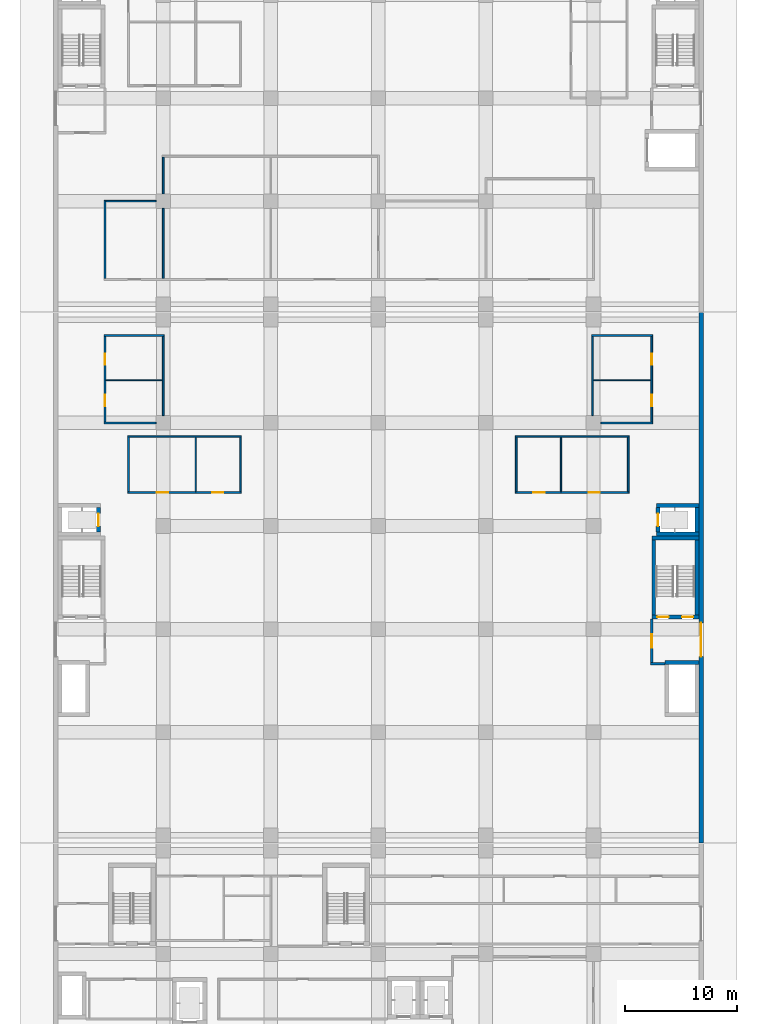
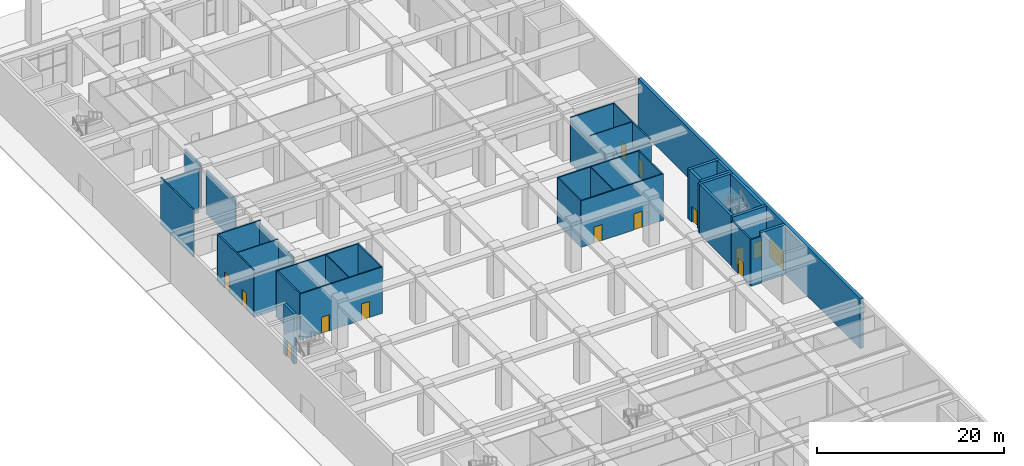
# One storey, part 20 of 45: 37 walls, 14 doors, 14 openings.
"""IFC4 building model written with IfcOpenShell, lengths in metres."""

from ifc_helpers import new_model, si_unit, direction, frame, frame_2d, origin, place, context, subcontext, project, spatial, rectangle, extrude, material, layer, layer_set, type_object, element, fill, save


model = new_model("IFC4")

# Units and contexts
model_context = context("Model", 3, precision=1e-05, world=origin(), true_north=direction((0.0, 1.0)))
body_context = subcontext(model_context, "Body", "Model", "MODEL_VIEW")
ifc_project = project(units=[si_unit("LENGTHUNIT", "METRE"), si_unit("AREAUNIT", "SQUARE_METRE"), si_unit("VOLUMEUNIT", "CUBIC_METRE"), si_unit("PLANEANGLEUNIT", "RADIAN"), si_unit("MASSUNIT", "GRAM", prefix="KILO")], contexts=[model_context])

# Site, building, storey
site_placement = place(None, origin())
site = spatial("IfcSite", under=ifc_project, at=site_placement, CompositionType="ELEMENT")
building_placement = place(site_placement, origin())
building = spatial("IfcBuilding", under=site, at=building_placement, Name="Nzadi Deep Aquarium and Research Tower", CompositionType="ELEMENT")
storey_placement = place(building_placement, origin())
storey = spatial("IfcBuildingStorey", under=building, at=storey_placement, Name="G", CompositionType="ELEMENT", Elevation=0.0)

# Walls
ifc_material_1 = material(Name="Blockwork masonry", Category="masonry")
ifc_layer_1 = layer(ifc_material_1, 0.10009765625)
ifc_layer_set_1 = layer_set([ifc_layer_1], Name="Blockwork masonry")
wall_type_1 = type_object("IfcWallType", Name="Partition 100 EI 30, 6.05 m high", PredefinedType="PARTITIONING", material=ifc_layer_set_1)
wall_1_placement = place(storey_placement, frame((4.47509765625, 88.0, 0.0), z_axis=(0.0, 0.0, 1.0), x_axis=(1.0, 0.0, 0.0)))
element("IfcWall", 1, at=wall_1_placement, inside=storey, type_object=wall_type_1, Name="W-Z2-G-P006", PredefinedType="PARTITIONING", context=body_context, shape_type="SweptSolid", body=[
    extrude(rectangle(XDim=5.0498046875, YDim=0.10009765625, at=frame_2d((2.52490234375, 0.0))), origin(), (0.0, 0.0, 1.0), 6.050048828125),
])
for number, where, z_axis, x_axis, name in (
    (2, (12.5, 78.074951171875, 0.0), (0.0, 0.0, 1.0), (0.0, 1.0, 0.0), "W-Z2-G-P011"),
    (3, (45.10009765625, 78.074951171875, 0.0), (0.0, 0.0, 1.0), (0.0, 1.0, 0.0), "W-Z2-G-P016"),
):
    element("IfcWall", number, at=place(storey_placement, frame(where, z_axis=z_axis, x_axis=x_axis)), inside=storey, type_object=wall_type_1, Name=name, PredefinedType="PARTITIONING", context=body_context, shape_type="SweptSolid", body=[
        extrude(rectangle(XDim=4.85009765625, YDim=0.10009765625, at=frame_2d((2.425048828125, 0.0))), origin(), (0.0, 0.0, 1.0), 6.050048828125),
    ])
wall_2_placement = place(storey_placement, frame((47.97509765625, 88.0, 0.0), z_axis=(0.0, 0.0, 1.0), x_axis=(1.0, 0.0, 0.0)))
element("IfcWall", 4, at=wall_2_placement, inside=storey, type_object=wall_type_1, Name="W-Z2-G-P019", PredefinedType="PARTITIONING", context=body_context, shape_type="SweptSolid", body=[
    extrude(rectangle(XDim=5.14990234375, YDim=0.10009765625, at=frame_2d((2.574951171875, 0.0))), origin(), (0.0, 0.0, 1.0), 6.050048828125),
])
ifc_material_2 = material(Name="Blockwork masonry", Category="masonry")
ifc_layer_2 = layer(ifc_material_2, 0.14990234375)
ifc_layer_set_2 = layer_set([ifc_layer_2], Name="Blockwork masonry")
wall_type_2 = type_object("IfcWallType", Name="Partition 150 EI 60", PredefinedType="PARTITIONING", material=ifc_layer_set_2)
wall_3_placement = place(storey_placement, frame((4.39990234375, 97.10009765625, 0.0), z_axis=(0.0, 0.0, 1.0), x_axis=(0.0, 1.0, 0.0)))
element("IfcWall", 5, at=wall_3_placement, inside=storey, type_object=wall_type_2, Name="W-Z3-G-P004", PredefinedType="PARTITIONING", context=body_context, shape_type="SweptSolid", body=[
    extrude(rectangle(XDim=6.974853515625, YDim=0.14990234375, at=frame_2d((3.4873046875, 0.0))), origin(), (0.0, 0.0, 1.0), 6.14990234375),
])
ifc_material_3 = material(Name="Blockwork masonry", Category="masonry")
ifc_layer_3 = layer(ifc_material_3, 0.14990234375)
ifc_layer_set_3 = layer_set([ifc_layer_3], Name="Blockwork masonry")
wall_type_3 = type_object("IfcWallType", Name="Partition 150 EI 60, 5.65 m high", PredefinedType="PARTITIONING", material=ifc_layer_set_3)
wall_4_placement = place(storey_placement, frame((4.324951171875, 84.199951171875, 0.0), z_axis=(0.0, 0.0, 1.0), x_axis=(1.0, 0.0, 0.0)))
element("IfcWall", 6, at=wall_4_placement, inside=storey, type_object=wall_type_3, Name="W-Z2-G-P003", PredefinedType="PARTITIONING", context=body_context, shape_type="SweptSolid", body=[
    extrude(rectangle(XDim=4.625, YDim=0.14990234375, at=frame_2d((2.3125, 0.0))), origin(), (0.0, 0.0, 1.0), 5.64990234375),
])
for number, where, z_axis, x_axis, name in (
    (7, (9.60009765625, 84.85009765625, 0.0), (0.0, 0.0, 1.0), (0.0, 1.0, 0.0), "W-Z2-G-P010"),
    (8, (47.89990234375, 84.85009765625, 0.0), (0.0, 0.0, 1.0), (0.0, 1.0, 0.0), "W-Z2-G-P017"),
):
    element("IfcWall", number, at=place(storey_placement, frame(where, z_axis=z_axis, x_axis=x_axis)), inside=storey, type_object=wall_type_3, Name=name, PredefinedType="PARTITIONING", context=body_context, shape_type="SweptSolid", body=[
        extrude(rectangle(XDim=7.074951171875, YDim=0.14990234375, at=frame_2d((3.53759765625, 0.0))), origin(), (0.0, 0.0, 1.0), 5.64990234375),
    ])
wall_5_placement = place(storey_placement, frame((48.64990234375, 84.199951171875, 0.0), z_axis=(0.0, 0.0, 1.0), x_axis=(1.0, 0.0, 0.0)))
element("IfcWall", 9, at=wall_5_placement, inside=storey, type_object=wall_type_3, Name="W-Z2-G-P020", PredefinedType="PARTITIONING", context=body_context, shape_type="SweptSolid", body=[
    extrude(rectangle(XDim=4.625, YDim=0.14990234375, at=frame_2d((2.3125, 0.0))), origin(), (0.0, 0.0, 1.0), 5.64990234375),
])
ifc_material_4 = material(Name="Blockwork masonry", Category="masonry")
ifc_layer_4 = layer(ifc_material_4, 0.14990234375)
ifc_layer_set_4 = layer_set([ifc_layer_4], Name="Blockwork masonry")
wall_type_4 = type_object("IfcWallType", Name="Partition 150 EI 60, 5.75 m high", PredefinedType="PARTITIONING", material=ifc_layer_set_4)
wall_6_placement = place(storey_placement, frame((4.47509765625, 104.0, 0.0), z_axis=(0.0, 0.0, 1.0), x_axis=(1.0, 0.0, 0.0)))
element("IfcWall", 10, at=wall_6_placement, inside=storey, type_object=wall_type_4, Name="W-Z3-G-P005", PredefinedType="PARTITIONING", context=body_context, shape_type="SweptSolid", body=[
    extrude(rectangle(XDim=4.474853515625, YDim=0.14990234375, at=frame_2d((2.2373046875, 0.0))), origin(), (0.0, 0.0, 1.0), 5.75),
])
wall_7_placement = place(storey_placement, frame((9.60009765625, 97.10009765625, 0.0), z_axis=(0.0, 0.0, 1.0), x_axis=(0.0, 1.0, 0.0)))
element("IfcWall", 11, at=wall_7_placement, inside=storey, type_object=wall_type_4, Name="W-Z3-G-P010", PredefinedType="PARTITIONING", context=body_context, shape_type="SweptSolid", body=[
    extrude(rectangle(XDim=6.25, YDim=0.14990234375, at=frame_2d((3.125, 0.0))), origin(), (0.0, 0.0, 1.0), 5.75),
])
wall_8_placement = place(storey_placement, frame((9.60009765625, 104.64990234375, 0.0), z_axis=(0.0, 0.0, 1.0), x_axis=(0.0, 1.0, 0.0)))
element("IfcWall", 12, at=wall_8_placement, inside=storey, type_object=wall_type_4, Name="W-Z3-G-P011", PredefinedType="PARTITIONING", context=body_context, shape_type="SweptSolid", body=[
    extrude(rectangle(XDim=3.275146484375, YDim=0.14990234375, at=frame_2d((1.6376953125, 0.0))), origin(), (0.0, 0.0, 1.0), 5.75),
])

# Wall, openings, doors
ifc_material_5 = material(Name="Blockwork masonry", Category="masonry")
ifc_layer_5 = layer(ifc_material_5, 0.14990234375)
ifc_layer_set_5 = layer_set([ifc_layer_5], Name="Blockwork masonry")
wall_type_5 = type_object("IfcWallType", Name="Partition 150 EI 60, 6.05 m high", PredefinedType="PARTITIONING", material=ifc_layer_set_5)
wall_9_placement = place(storey_placement, frame((4.39990234375, 84.27490234375, 0.0), z_axis=(0.0, 0.0, 1.0), x_axis=(0.0, 1.0, 0.0)))
wall_9 = element("IfcWall", 13, at=wall_9_placement, inside=storey, type_object=wall_type_5, Name="W-Z2-G-P004", PredefinedType="PARTITIONING", context=body_context, shape_type="SweptSolid", body=[
    extrude(rectangle(XDim=7.650146484375, YDim=0.14990234375, at=frame_2d((3.8251953125, 0.0))), origin(), (0.0, 0.0, 1.0), 6.050048828125),
])
opening_1_placement = place(wall_9_placement, frame((1.43505859375, 0.0, 0.0)))
opening_1 = element("IfcOpeningElement", 14, at=opening_1_placement, cuts=wall_9, Name="Opening D012005", PredefinedType="OPENING", context=body_context, shape_type="SweptSolid", body=[
    extrude(rectangle(XDim=1.0, YDim=2.10009765625, at=frame_2d((0.5, 1.050048828125))), frame((0.0, 0.0849609375, 0.0), z_axis=(0.0, -1.0, 0.0), x_axis=(1.0, 0.0, 0.0)), (0.0, 0.0, 1.0), 0.169921875),
])
opening_2_placement = place(wall_9_placement, frame((5.114990234375, 0.0, 0.0)))
opening_2 = element("IfcOpeningElement", 15, at=opening_2_placement, cuts=wall_9, Name="Opening D012007", PredefinedType="OPENING", context=body_context, shape_type="SweptSolid", body=[
    extrude(rectangle(XDim=1.0, YDim=2.10009765625, at=frame_2d((0.5, 1.050048828125))), frame((0.0, 0.0849609375, 0.0), z_axis=(0.0, -1.0, 0.0), x_axis=(1.0, 0.0, 0.0)), (0.0, 0.0, 1.0), 0.169921875),
])
ifc_material_6 = material(Name="Fire-rated steel door", Category="steel")
ifc_layer_6 = layer(ifc_material_6, 0.050048828125)
ifc_layer_set_6 = layer_set([ifc_layer_6], Name="Fire-rated steel door")
door_type_1 = type_object("IfcDoorType", Name="Door 1000x2100 EI 60 single", OperationType="SINGLE_SWING_LEFT", PredefinedType="DOOR", material=ifc_layer_set_6)
door_1_placement = place(opening_1_placement, origin())
door_1 = element("IfcDoor", 16, at=door_1_placement, inside=storey, type_object=door_type_1, Name="D012005", OperationType="SINGLE_SWING_RIGHT", OverallHeight=2.10009765625, OverallWidth=1.0, PredefinedType="DOOR", context=body_context, shape_type="SweptSolid", body=[
    extrude(rectangle(XDim=1.0, YDim=2.10009765625, at=frame_2d((0.5, 1.050048828125))), frame((0.0, 0.02490234375, 0.0), z_axis=(0.0, -1.0, 0.0), x_axis=(1.0, 0.0, 0.0)), (0.0, 0.0, 1.0), 0.050048828125),
])
fill(opening_1, door_1)
door_2_placement = place(opening_2_placement, origin())
door_2 = element("IfcDoor", 17, at=door_2_placement, inside=storey, type_object=door_type_1, Name="D012007", OperationType="SINGLE_SWING_LEFT", OverallHeight=2.10009765625, OverallWidth=1.0, PredefinedType="DOOR", context=body_context, shape_type="SweptSolid", body=[
    extrude(rectangle(XDim=1.0, YDim=2.10009765625, at=frame_2d((0.5, 1.050048828125))), frame((0.0, 0.02490234375, 0.0), z_axis=(0.0, -1.0, 0.0), x_axis=(1.0, 0.0, 0.0)), (0.0, 0.0, 1.0), 0.050048828125),
])
fill(opening_2, door_2)

# Wall
wall_10_placement = place(storey_placement, frame((4.324951171875, 92.0, 0.0), z_axis=(0.0, 0.0, 1.0), x_axis=(1.0, 0.0, 0.0)))
element("IfcWall", 18, at=wall_10_placement, inside=storey, type_object=wall_type_5, Name="W-Z2-G-P005", PredefinedType="PARTITIONING", context=body_context, shape_type="SweptSolid", body=[
    extrude(rectangle(XDim=5.35009765625, YDim=0.14990234375, at=frame_2d((2.675048828125, 0.0))), origin(), (0.0, 0.0, 1.0), 6.050048828125),
])

# Wall, openings, doors
wall_11_placement = place(storey_placement, frame((6.425048828125, 78.0, 0.0), z_axis=(0.0, 0.0, 1.0), x_axis=(1.0, 0.0, 0.0)))
wall_11 = element("IfcWall", 19, at=wall_11_placement, inside=storey, type_object=wall_type_5, Name="W-Z2-G-P007", PredefinedType="PARTITIONING", context=body_context, shape_type="SweptSolid", body=[
    extrude(rectangle(XDim=10.14990234375, YDim=0.14990234375, at=frame_2d((5.074951171875, 0.0))), origin(), (0.0, 0.0, 1.0), 6.050048828125),
])
opening_3_placement = place(wall_11_placement, frame((2.610107421875, 0.0, 0.0)))
opening_3 = element("IfcOpeningElement", 20, at=opening_3_placement, cuts=wall_11, Name="Opening D012001", PredefinedType="OPENING", context=body_context, shape_type="SweptSolid", body=[
    extrude(rectangle(XDim=1.0, YDim=2.10009765625, at=frame_2d((0.5, 1.050048828125))), frame((0.0, 0.0849609375, 0.0), z_axis=(0.0, -1.0, 0.0), x_axis=(1.0, 0.0, 0.0)), (0.0, 0.0, 1.0), 0.169921875),
])
opening_4_placement = place(wall_11_placement, frame((7.5400390625, 0.0, 0.0)))
opening_4 = element("IfcOpeningElement", 21, at=opening_4_placement, cuts=wall_11, Name="Opening D012002", PredefinedType="OPENING", context=body_context, shape_type="SweptSolid", body=[
    extrude(rectangle(XDim=1.0, YDim=2.10009765625, at=frame_2d((0.5, 1.050048828125))), frame((0.0, 0.0849609375, 0.0), z_axis=(0.0, -1.0, 0.0), x_axis=(1.0, 0.0, 0.0)), (0.0, 0.0, 1.0), 0.169921875),
])
door_3_placement = place(opening_3_placement, origin())
door_3 = element("IfcDoor", 22, at=door_3_placement, inside=storey, type_object=door_type_1, Name="D012001", OperationType="SINGLE_SWING_LEFT", OverallHeight=2.10009765625, OverallWidth=1.0, PredefinedType="DOOR", context=body_context, shape_type="SweptSolid", body=[
    extrude(rectangle(XDim=1.0, YDim=2.10009765625, at=frame_2d((0.5, 1.050048828125))), frame((0.0, 0.02490234375, 0.0), z_axis=(0.0, -1.0, 0.0), x_axis=(1.0, 0.0, 0.0)), (0.0, 0.0, 1.0), 0.050048828125),
])
fill(opening_3, door_3)
door_4_placement = place(opening_4_placement, origin())
door_4 = element("IfcDoor", 23, at=door_4_placement, inside=storey, type_object=door_type_1, Name="D012002", OperationType="SINGLE_SWING_RIGHT", OverallHeight=2.10009765625, OverallWidth=1.0, PredefinedType="DOOR", context=body_context, shape_type="SweptSolid", body=[
    extrude(rectangle(XDim=1.0, YDim=2.10009765625, at=frame_2d((0.5, 1.050048828125))), frame((0.0, 0.02490234375, 0.0), z_axis=(0.0, -1.0, 0.0), x_axis=(1.0, 0.0, 0.0)), (0.0, 0.0, 1.0), 0.050048828125),
])
fill(opening_4, door_4)

# Walls
wall_12_placement = place(storey_placement, frame((6.5, 78.074951171875, 0.0), z_axis=(0.0, 0.0, 1.0), x_axis=(0.0, 1.0, 0.0)))
element("IfcWall", 24, at=wall_12_placement, inside=storey, type_object=wall_type_5, Name="W-Z2-G-P008", PredefinedType="PARTITIONING", context=body_context, shape_type="SweptSolid", body=[
    extrude(rectangle(XDim=4.85009765625, YDim=0.14990234375, at=frame_2d((2.425048828125, 0.0))), origin(), (0.0, 0.0, 1.0), 6.050048828125),
])
wall_13_placement = place(storey_placement, frame((6.425048828125, 83.0, 0.0), z_axis=(0.0, 0.0, 1.0), x_axis=(1.0, 0.0, 0.0)))
element("IfcWall", 25, at=wall_13_placement, inside=storey, type_object=wall_type_5, Name="W-Z2-G-P009", PredefinedType="PARTITIONING", context=body_context, shape_type="SweptSolid", body=[
    extrude(rectangle(XDim=10.14990234375, YDim=0.14990234375, at=frame_2d((5.074951171875, 0.0))), origin(), (0.0, 0.0, 1.0), 6.050048828125),
])
wall_14_placement = place(storey_placement, frame((16.5, 78.074951171875, 0.0), z_axis=(0.0, 0.0, 1.0), x_axis=(0.0, 1.0, 0.0)))
element("IfcWall", 26, at=wall_14_placement, inside=storey, type_object=wall_type_5, Name="W-Z2-G-P012", PredefinedType="PARTITIONING", context=body_context, shape_type="SweptSolid", body=[
    extrude(rectangle(XDim=4.85009765625, YDim=0.14990234375, at=frame_2d((2.425048828125, 0.0))), origin(), (0.0, 0.0, 1.0), 6.050048828125),
])

# Wall, openings, doors
wall_15_placement = place(storey_placement, frame((41.02490234375, 78.0, 0.0), z_axis=(0.0, 0.0, 1.0), x_axis=(1.0, 0.0, 0.0)))
wall_15 = element("IfcWall", 27, at=wall_15_placement, inside=storey, type_object=wall_type_5, Name="W-Z2-G-P013", PredefinedType="PARTITIONING", context=body_context, shape_type="SweptSolid", body=[
    extrude(rectangle(XDim=10.150146484375, YDim=0.14990234375, at=frame_2d((5.0751953125, 0.0))), origin(), (0.0, 0.0, 1.0), 6.050048828125),
])
opening_5_placement = place(wall_15_placement, frame((6.5400390625, 0.0, 0.0)))
opening_5 = element("IfcOpeningElement", 28, at=opening_5_placement, cuts=wall_15, Name="Opening D012003", PredefinedType="OPENING", context=body_context, shape_type="SweptSolid", body=[
    extrude(rectangle(XDim=1.0, YDim=2.10009765625, at=frame_2d((0.5, 1.050048828125))), frame((0.0, 0.0849609375, 0.0), z_axis=(0.0, -1.0, 0.0), x_axis=(1.0, 0.0, 0.0)), (0.0, 0.0, 1.0), 0.169921875),
])
opening_6_placement = place(wall_15_placement, frame((1.610107421875, 0.0, 0.0)))
opening_6 = element("IfcOpeningElement", 29, at=opening_6_placement, cuts=wall_15, Name="Opening D012004", PredefinedType="OPENING", context=body_context, shape_type="SweptSolid", body=[
    extrude(rectangle(XDim=1.0, YDim=2.10009765625, at=frame_2d((0.5, 1.050048828125))), frame((0.0, 0.0849609375, 0.0), z_axis=(0.0, -1.0, 0.0), x_axis=(1.0, 0.0, 0.0)), (0.0, 0.0, 1.0), 0.169921875),
])
door_5_placement = place(opening_5_placement, origin())
door_5 = element("IfcDoor", 30, at=door_5_placement, inside=storey, type_object=door_type_1, Name="D012003", OperationType="SINGLE_SWING_RIGHT", OverallHeight=2.10009765625, OverallWidth=1.0, PredefinedType="DOOR", context=body_context, shape_type="SweptSolid", body=[
    extrude(rectangle(XDim=1.0, YDim=2.10009765625, at=frame_2d((0.5, 1.050048828125))), frame((0.0, 0.02490234375, 0.0), z_axis=(0.0, -1.0, 0.0), x_axis=(1.0, 0.0, 0.0)), (0.0, 0.0, 1.0), 0.050048828125),
])
fill(opening_5, door_5)
door_6_placement = place(opening_6_placement, origin())
door_6 = element("IfcDoor", 31, at=door_6_placement, inside=storey, type_object=door_type_1, Name="D012004", OperationType="SINGLE_SWING_LEFT", OverallHeight=2.10009765625, OverallWidth=1.0, PredefinedType="DOOR", context=body_context, shape_type="SweptSolid", body=[
    extrude(rectangle(XDim=1.0, YDim=2.10009765625, at=frame_2d((0.5, 1.050048828125))), frame((0.0, 0.02490234375, 0.0), z_axis=(0.0, -1.0, 0.0), x_axis=(1.0, 0.0, 0.0)), (0.0, 0.0, 1.0), 0.050048828125),
])
fill(opening_6, door_6)

# Walls
wall_16_placement = place(storey_placement, frame((41.10009765625, 78.074951171875, 0.0), z_axis=(0.0, 0.0, 1.0), x_axis=(0.0, 1.0, 0.0)))
element("IfcWall", 32, at=wall_16_placement, inside=storey, type_object=wall_type_5, Name="W-Z2-G-P014", PredefinedType="PARTITIONING", context=body_context, shape_type="SweptSolid", body=[
    extrude(rectangle(XDim=4.85009765625, YDim=0.14990234375, at=frame_2d((2.425048828125, 0.0))), origin(), (0.0, 0.0, 1.0), 6.050048828125),
])
wall_17_placement = place(storey_placement, frame((41.02490234375, 83.0, 0.0), z_axis=(0.0, 0.0, 1.0), x_axis=(1.0, 0.0, 0.0)))
element("IfcWall", 33, at=wall_17_placement, inside=storey, type_object=wall_type_5, Name="W-Z2-G-P015", PredefinedType="PARTITIONING", context=body_context, shape_type="SweptSolid", body=[
    extrude(rectangle(XDim=10.150146484375, YDim=0.14990234375, at=frame_2d((5.0751953125, 0.0))), origin(), (0.0, 0.0, 1.0), 6.050048828125),
])
wall_18_placement = place(storey_placement, frame((47.824951171875, 92.0, 0.0), z_axis=(0.0, 0.0, 1.0), x_axis=(1.0, 0.0, 0.0)))
element("IfcWall", 34, at=wall_18_placement, inside=storey, type_object=wall_type_5, Name="W-Z2-G-P018", PredefinedType="PARTITIONING", context=body_context, shape_type="SweptSolid", body=[
    extrude(rectangle(XDim=5.449951171875, YDim=0.14990234375, at=frame_2d((2.72509765625, 0.0))), origin(), (0.0, 0.0, 1.0), 6.050048828125),
])
wall_19_placement = place(storey_placement, frame((51.10009765625, 78.074951171875, 0.0), z_axis=(0.0, 0.0, 1.0), x_axis=(0.0, 1.0, 0.0)))
element("IfcWall", 35, at=wall_19_placement, inside=storey, type_object=wall_type_5, Name="W-Z2-G-P021", PredefinedType="PARTITIONING", context=body_context, shape_type="SweptSolid", body=[
    extrude(rectangle(XDim=4.85009765625, YDim=0.14990234375, at=frame_2d((2.425048828125, 0.0))), origin(), (0.0, 0.0, 1.0), 6.050048828125),
])

# Wall, openings, doors
wall_20_placement = place(storey_placement, frame((53.199951171875, 84.27490234375, 0.0), z_axis=(0.0, 0.0, 1.0), x_axis=(0.0, 1.0, 0.0)))
wall_20 = element("IfcWall", 36, at=wall_20_placement, inside=storey, type_object=wall_type_5, Name="W-Z2-G-P024", PredefinedType="PARTITIONING", context=body_context, shape_type="SweptSolid", body=[
    extrude(rectangle(XDim=7.650146484375, YDim=0.14990234375, at=frame_2d((3.8251953125, 0.0))), origin(), (0.0, 0.0, 1.0), 6.050048828125),
])
opening_7_placement = place(wall_20_placement, frame((1.43505859375, 0.0, 0.0)))
opening_7 = element("IfcOpeningElement", 37, at=opening_7_placement, cuts=wall_20, Name="Opening D012006", PredefinedType="OPENING", context=body_context, shape_type="SweptSolid", body=[
    extrude(rectangle(XDim=1.0, YDim=2.10009765625, at=frame_2d((0.5, 1.050048828125))), frame((0.0, 0.0849609375, 0.0), z_axis=(0.0, -1.0, 0.0), x_axis=(1.0, 0.0, 0.0)), (0.0, 0.0, 1.0), 0.169921875),
])
opening_8_placement = place(wall_20_placement, frame((5.114990234375, 0.0, 0.0)))
opening_8 = element("IfcOpeningElement", 38, at=opening_8_placement, cuts=wall_20, Name="Opening D012008", PredefinedType="OPENING", context=body_context, shape_type="SweptSolid", body=[
    extrude(rectangle(XDim=1.0, YDim=2.10009765625, at=frame_2d((0.5, 1.050048828125))), frame((0.0, 0.0849609375, 0.0), z_axis=(0.0, -1.0, 0.0), x_axis=(1.0, 0.0, 0.0)), (0.0, 0.0, 1.0), 0.169921875),
])
door_7_placement = place(opening_7_placement, origin())
door_7 = element("IfcDoor", 39, at=door_7_placement, inside=storey, type_object=door_type_1, Name="D012006", OperationType="SINGLE_SWING_LEFT", OverallHeight=2.10009765625, OverallWidth=1.0, PredefinedType="DOOR", context=body_context, shape_type="SweptSolid", body=[
    extrude(rectangle(XDim=1.0, YDim=2.10009765625, at=frame_2d((0.5, 1.050048828125))), frame((0.0, 0.02490234375, 0.0), z_axis=(0.0, -1.0, 0.0), x_axis=(1.0, 0.0, 0.0)), (0.0, 0.0, 1.0), 0.050048828125),
])
fill(opening_7, door_7)
door_8_placement = place(opening_8_placement, origin())
door_8 = element("IfcDoor", 40, at=door_8_placement, inside=storey, type_object=door_type_1, Name="D012008", OperationType="SINGLE_SWING_RIGHT", OverallHeight=2.10009765625, OverallWidth=1.0, PredefinedType="DOOR", context=body_context, shape_type="SweptSolid", body=[
    extrude(rectangle(XDim=1.0, YDim=2.10009765625, at=frame_2d((0.5, 1.050048828125))), frame((0.0, 0.02490234375, 0.0), z_axis=(0.0, -1.0, 0.0), x_axis=(1.0, 0.0, 0.0)), (0.0, 0.0, 1.0), 0.050048828125),
])
fill(opening_8, door_8)

# Wall
ifc_material_7 = material(Name="Blockwork masonry", Category="masonry")
ifc_layer_7 = layer(ifc_material_7, 0.199951171875)
ifc_layer_set_7 = layer_set([ifc_layer_7], Name="Blockwork masonry")
wall_type_6 = type_object("IfcWallType", Name="Partition 200 EI 120, 6.05 m high", PredefinedType="PARTITIONING", material=ifc_layer_set_7)
wall_21_placement = place(storey_placement, frame((53.10009765625, 62.699951171875, 0.0), z_axis=(0.0, 0.0, 1.0), x_axis=(1.0, 0.0, 0.0)))
element("IfcWall", 41, at=wall_21_placement, inside=storey, type_object=wall_type_6, Name="W-Z2-G-P022", PredefinedType="PARTITIONING", context=body_context, shape_type="SweptSolid", body=[
    extrude(rectangle(XDim=1.2939453125, YDim=0.199951171875, at=frame_2d((0.64697265625, 0.0))), origin(), (0.0, 0.0, 1.0), 6.050048828125),
])

# Wall, opening, door
wall_22_placement = place(storey_placement, frame((53.199951171875, 62.800048828125, 0.0), z_axis=(0.0, 0.0, 1.0), x_axis=(0.0, 1.0, 0.0)))
wall_22 = element("IfcWall", 42, at=wall_22_placement, inside=storey, type_object=wall_type_6, Name="W-Z2-G-P023", PredefinedType="PARTITIONING", context=body_context, shape_type="SweptSolid", body=[
    extrude(rectangle(XDim=3.89404296875, YDim=0.199951171875, at=frame_2d((1.947021484375, 0.0))), origin(), (0.0, 0.0, 1.0), 6.050048828125),
])
opening_9_placement = place(wall_22_placement, frame((1.346923828125, 0.0, 0.0)))
opening_9 = element("IfcOpeningElement", 43, at=opening_9_placement, cuts=wall_22, Name="Opening D012010", PredefinedType="OPENING", context=body_context, shape_type="SweptSolid", body=[
    extrude(rectangle(XDim=1.199951171875, YDim=2.10009765625, at=frame_2d((0.60009765625, 1.050048828125))), frame((0.0, 0.110107421875, 0.0), z_axis=(0.0, -1.0, 0.0), x_axis=(1.0, 0.0, 0.0)), (0.0, 0.0, 1.0), 0.22021484375),
])
ifc_material_8 = material(Name="Fire-rated steel door", Category="steel")
ifc_layer_8 = layer(ifc_material_8, 0.050048828125)
ifc_layer_set_8 = layer_set([ifc_layer_8], Name="Fire-rated steel door")
door_type_2 = type_object("IfcDoorType", Name="Door 1200x2100 EI 120 single", OperationType="SINGLE_SWING_LEFT", PredefinedType="DOOR", material=ifc_layer_set_8)
door_9_placement = place(opening_9_placement, origin())
door_9 = element("IfcDoor", 44, at=door_9_placement, inside=storey, type_object=door_type_2, Name="D012010", OperationType="SINGLE_SWING_RIGHT", OverallHeight=2.10009765625, OverallWidth=1.199951171875, PredefinedType="DOOR", context=body_context, shape_type="SweptSolid", body=[
    extrude(rectangle(XDim=1.199951171875, YDim=2.10009765625, at=frame_2d((0.60009765625, 1.050048828125))), frame((0.0, 0.02490234375, 0.0), z_axis=(0.0, -1.0, 0.0), x_axis=(1.0, 0.0, 0.0)), (0.0, 0.0, 1.0), 0.050048828125),
])
fill(opening_9, door_9)

# Wall, openings, doors
ifc_material_9 = material(Name="Concrete C35/45", Category="concrete")
ifc_layer_9 = layer(ifc_material_9, 0.35009765625)
ifc_layer_set_9 = layer_set([ifc_layer_9], Name="Concrete C35/45")
wall_type_7 = type_object("IfcWallType", Name="RC core wall 350, 5.50 to 6.50 m high", PredefinedType="SHEAR", material=ifc_layer_set_9)
wall_23_placement = place(storey_placement, frame((53.199951171875, 66.875, 0.0), z_axis=(0.0, 0.0, 1.0), x_axis=(1.0, 0.0, 0.0)))
wall_23 = element("IfcWall", 45, at=wall_23_placement, inside=storey, type_object=wall_type_7, Name="W-CORE-ST-Z2-E-G-S", PredefinedType="SHEAR", context=body_context, shape_type="SweptSolid", body=[
    extrude(rectangle(XDim=4.199951171875, YDim=0.35009765625, at=frame_2d((2.10009765625, 0.0))), origin(), (0.0, 0.0, 1.0), 6.5),
])
opening_10_placement = place(wall_23_placement, frame((0.5, 0.0, 0.0)))
opening_10 = element("IfcOpeningElement", 46, at=opening_10_placement, cuts=wall_23, Name="Opening DS-Z2-E-GA", PredefinedType="OPENING", context=body_context, shape_type="SweptSolid", body=[
    extrude(rectangle(XDim=1.0, YDim=2.10009765625, at=frame_2d((0.5, 1.050048828125))), frame((0.0, 0.18505859375, 0.0), z_axis=(0.0, -1.0, 0.0), x_axis=(1.0, 0.0, 0.0)), (0.0, 0.0, 1.0), 0.3701171875),
])
opening_11_placement = place(wall_23_placement, frame((2.699951171875, 0.0, 0.0)))
opening_11 = element("IfcOpeningElement", 47, at=opening_11_placement, cuts=wall_23, Name="Opening DS-Z2-E-GB", PredefinedType="OPENING", context=body_context, shape_type="SweptSolid", body=[
    extrude(rectangle(XDim=1.0, YDim=2.10009765625, at=frame_2d((0.5, 1.050048828125))), frame((0.0, 0.18505859375, 0.0), z_axis=(0.0, -1.0, 0.0), x_axis=(1.0, 0.0, 0.0)), (0.0, 0.0, 1.0), 0.3701171875),
])
ifc_material_10 = material(Name="Steel, powder coated", Category="steel")
door_type_3 = type_object("IfcDoorType", Name="STAIR DOOR 1000x2100 EI 60", OperationType="SINGLE_SWING_LEFT", PredefinedType="DOOR", material=ifc_material_10)
door_10_placement = place(opening_10_placement, origin())
door_10 = element("IfcDoor", 48, at=door_10_placement, inside=storey, type_object=door_type_3, Name="Stair door ST-Z2-E G A", OperationType="SINGLE_SWING_LEFT", OverallHeight=2.10009765625, OverallWidth=1.0, PredefinedType="DOOR", context=body_context, shape_type="SweptSolid", body=[
    extrude(rectangle(XDim=1.0, YDim=2.10009765625, at=frame_2d((0.5, 1.050048828125))), frame((0.0, 0.02490234375, 0.0), z_axis=(0.0, -1.0, 0.0), x_axis=(1.0, 0.0, 0.0)), (0.0, 0.0, 1.0), 0.050048828125),
])
fill(opening_10, door_10)
door_11_placement = place(opening_11_placement, origin())
door_11 = element("IfcDoor", 49, at=door_11_placement, inside=storey, type_object=door_type_3, Name="Stair door ST-Z2-E G B", OperationType="SINGLE_SWING_RIGHT", OverallHeight=2.10009765625, OverallWidth=1.0, PredefinedType="DOOR", context=body_context, shape_type="SweptSolid", body=[
    extrude(rectangle(XDim=1.0, YDim=2.10009765625, at=frame_2d((0.5, 1.050048828125))), frame((0.0, 0.02490234375, 0.0), z_axis=(0.0, -1.0, 0.0), x_axis=(1.0, 0.0, 0.0)), (0.0, 0.0, 1.0), 0.050048828125),
])
fill(opening_11, door_11)

# Walls
wall_24_placement = place(storey_placement, frame((53.199951171875, 73.925048828125, 0.0), z_axis=(0.0, 0.0, 1.0), x_axis=(1.0, 0.0, 0.0)))
element("IfcWall", 50, at=wall_24_placement, inside=storey, type_object=wall_type_7, Name="W-CORE-ST-Z2-E-G-N", PredefinedType="SHEAR", context=body_context, shape_type="SweptSolid", body=[
    extrude(rectangle(XDim=4.199951171875, YDim=0.35009765625, at=frame_2d((2.10009765625, 0.0))), origin(), (0.0, 0.0, 1.0), 6.5),
])
for number, where, z_axis, x_axis, name in (
    (51, (53.375, 67.050048828125, 0.0), (0.0, 0.0, 1.0), (0.0, 1.0, 0.0), "W-CORE-ST-Z2-E-G-W"),
    (52, (57.22509765625, 67.050048828125, 0.0), (0.0, 0.0, 1.0), (0.0, 1.0, 0.0), "W-CORE-ST-Z2-E-G-E"),
):
    element("IfcWall", number, at=place(storey_placement, frame(where, z_axis=z_axis, x_axis=x_axis)), inside=storey, type_object=wall_type_7, Name=name, PredefinedType="SHEAR", context=body_context, shape_type="SweptSolid", body=[
        extrude(rectangle(XDim=6.699951171875, YDim=0.35009765625, at=frame_2d((3.35009765625, 0.0))), origin(), (0.0, 0.0, 1.0), 6.5),
    ])

# Wall, opening, door
wall_25_placement = place(storey_placement, frame((3.824951171875, 74.449951171875, 0.0), z_axis=(0.0, 0.0, 1.0), x_axis=(0.0, 1.0, 0.0)))
wall_25 = element("IfcWall", 53, at=wall_25_placement, inside=storey, type_object=wall_type_7, Name="W-CORE-PL3-G-E", PredefinedType="SHEAR", context=body_context, shape_type="SweptSolid", body=[
    extrude(rectangle(XDim=2.199951171875, YDim=0.35009765625, at=frame_2d((1.10009765625, 0.0))), origin(), (0.0, 0.0, 1.0), 6.5),
])
opening_12_placement = place(wall_25_placement, frame((0.550048828125, 0.0, 0.0)))
opening_12 = element("IfcOpeningElement", 54, at=opening_12_placement, cuts=wall_25, Name="Opening LD-PL3-G", PredefinedType="OPENING", context=body_context, shape_type="SweptSolid", body=[
    extrude(rectangle(XDim=1.10009765625, YDim=2.10009765625, at=frame_2d((0.550048828125, 1.050048828125))), frame((0.0, 0.18505859375, 0.0), z_axis=(0.0, -1.0, 0.0), x_axis=(1.0, 0.0, 0.0)), (0.0, 0.0, 1.0), 0.3701171875),
])
ifc_material_11 = material(Name="Stainless steel 1.4301", Category="steel")
door_type_4 = type_object("IfcDoorType", Name="LANDING DOOR 1100x2100", OperationType="DOUBLE_DOOR_SLIDING", PredefinedType="DOOR", material=ifc_material_11)
door_12_placement = place(opening_12_placement, origin())
door_12 = element("IfcDoor", 55, at=door_12_placement, inside=storey, type_object=door_type_4, Name="Landing door PL3 G", OperationType="DOUBLE_DOOR_SLIDING", OverallHeight=2.10009765625, OverallWidth=1.10009765625, PredefinedType="DOOR", context=body_context, shape_type="SweptSolid", body=[
    extrude(rectangle(XDim=1.10009765625, YDim=2.10009765625, at=frame_2d((0.550048828125, 1.050048828125))), frame((0.0, 0.02490234375, 0.0), z_axis=(0.0, -1.0, 0.0), x_axis=(1.0, 0.0, 0.0)), (0.0, 0.0, 1.0), 0.050048828125),
])
fill(opening_12, door_12)

# Walls
for number, where, z_axis, x_axis, name in (
    (56, (53.60009765625, 74.27490234375, 0.0), (0.0, 0.0, 1.0), (1.0, 0.0, 0.0), "W-CORE-PL4-G-S"),
    (57, (53.60009765625, 76.824951171875, 0.0), (0.0, 0.0, 1.0), (1.0, 0.0, 0.0), "W-CORE-PL4-G-N"),
):
    element("IfcWall", number, at=place(storey_placement, frame(where, z_axis=z_axis, x_axis=x_axis)), inside=storey, type_object=wall_type_7, Name=name, PredefinedType="SHEAR", context=body_context, shape_type="SweptSolid", body=[
        extrude(rectangle(XDim=3.7998046875, YDim=0.35009765625, at=frame_2d((1.89990234375, 0.0))), origin(), (0.0, 0.0, 1.0), 6.5),
    ])

# Wall, opening, door
wall_26_placement = place(storey_placement, frame((53.77490234375, 74.449951171875, 0.0), z_axis=(0.0, 0.0, 1.0), x_axis=(0.0, 1.0, 0.0)))
wall_26 = element("IfcWall", 58, at=wall_26_placement, inside=storey, type_object=wall_type_7, Name="W-CORE-PL4-G-W", PredefinedType="SHEAR", context=body_context, shape_type="SweptSolid", body=[
    extrude(rectangle(XDim=2.199951171875, YDim=0.35009765625, at=frame_2d((1.10009765625, 0.0))), origin(), (0.0, 0.0, 1.0), 6.5),
])
opening_13_placement = place(wall_26_placement, frame((0.550048828125, 0.0, 0.0)))
opening_13 = element("IfcOpeningElement", 59, at=opening_13_placement, cuts=wall_26, Name="Opening LD-PL4-G", PredefinedType="OPENING", context=body_context, shape_type="SweptSolid", body=[
    extrude(rectangle(XDim=1.10009765625, YDim=2.10009765625, at=frame_2d((0.550048828125, 1.050048828125))), frame((0.0, 0.18505859375, 0.0), z_axis=(0.0, -1.0, 0.0), x_axis=(1.0, 0.0, 0.0)), (0.0, 0.0, 1.0), 0.3701171875),
])
door_13_placement = place(opening_13_placement, origin())
door_13 = element("IfcDoor", 60, at=door_13_placement, inside=storey, type_object=door_type_4, Name="Landing door PL4 G", OperationType="DOUBLE_DOOR_SLIDING", OverallHeight=2.10009765625, OverallWidth=1.10009765625, PredefinedType="DOOR", context=body_context, shape_type="SweptSolid", body=[
    extrude(rectangle(XDim=1.10009765625, YDim=2.10009765625, at=frame_2d((0.550048828125, 1.050048828125))), frame((0.0, 0.02490234375, 0.0), z_axis=(0.0, -1.0, 0.0), x_axis=(1.0, 0.0, 0.0)), (0.0, 0.0, 1.0), 0.050048828125),
])
fill(opening_13, door_13)

# Walls
wall_27_placement = place(storey_placement, frame((57.22509765625, 74.449951171875, 0.0), z_axis=(0.0, 0.0, 1.0), x_axis=(0.0, 1.0, 0.0)))
element("IfcWall", 61, at=wall_27_placement, inside=storey, type_object=wall_type_7, Name="W-CORE-PL4-G-E", PredefinedType="SHEAR", context=body_context, shape_type="SweptSolid", body=[
    extrude(rectangle(XDim=2.199951171875, YDim=0.35009765625, at=frame_2d((1.10009765625, 0.0))), origin(), (0.0, 0.0, 1.0), 6.5),
])
wall_28_placement = place(storey_placement, frame((54.39990234375, 62.824951171875, 0.0), z_axis=(0.0, 0.0, 1.0), x_axis=(1.0, 0.0, 0.0)))
element("IfcWall", 62, at=wall_28_placement, inside=storey, type_object=wall_type_7, Name="W-CORE-RS-Z2-E-G-N", PredefinedType="SHEAR", context=body_context, shape_type="SweptSolid", body=[
    extrude(rectangle(XDim=3.0, YDim=0.35009765625, at=frame_2d((1.5, 0.0))), origin(), (0.0, 0.0, 1.0), 6.5),
])

# Wall, opening, door
ifc_material_12 = material(Name="Concrete C35/45", Category="concrete")
ifc_layer_10 = layer(ifc_material_12, 0.39990234375)
ifc_layer_set_10 = layer_set([ifc_layer_10], Name="Concrete C35/45")
wall_type_8 = type_object("IfcWallType", Name="RC party wall 400", PredefinedType="SHEAR", material=ifc_layer_set_10)
wall_29_placement = place(storey_placement, frame((57.599609375, 46.719970703125, 0.0), z_axis=(0.0, 0.0, 1.0), x_axis=(0.0, 1.0, 0.0)))
wall_29 = element("IfcWall", 63, at=wall_29_placement, inside=storey, type_object=wall_type_8, Name="W-PTY-Z2-G-E", PredefinedType="SHEAR", context=body_context, shape_type="SweptSolid", body=[
    extrude(rectangle(XDim=47.360107421875, YDim=0.39990234375, at=frame_2d((23.68017578125, 0.0))), origin(), (0.0, 0.0, 1.0), 6.5),
])
opening_14_placement = place(wall_29_placement, frame((16.6298828125, 0.0, 0.0)))
opening_14 = element("IfcOpeningElement", 64, at=opening_14_placement, cuts=wall_29, Name="Opening DE025", PredefinedType="OPENING", context=body_context, shape_type="SweptSolid", body=[
    extrude(rectangle(XDim=3.0, YDim=2.39990234375, at=frame_2d((1.5, 1.199951171875))), frame((0.0, 0.2099609375, 0.0), z_axis=(0.0, -1.0, 0.0), x_axis=(1.0, 0.0, 0.0)), (0.0, 0.0, 1.0), 0.419921875),
])
ifc_material_13 = material(Name="Aluminium framed glazing", Category="aluminium")
door_type_5 = type_object("IfcDoorType", Name="Pedestrian exit double door 3000x2400", OperationType="DOUBLE_DOOR_SINGLE_SWING", PredefinedType="DOOR", material=ifc_material_13)
door_14_placement = place(opening_14_placement, frame((3.0, 0.0, 0.0), z_axis=(0.0, 0.0, 1.0), x_axis=(-1.0, 0.0, 0.0)))
door_14 = element("IfcDoor", 65, at=door_14_placement, inside=storey, type_object=door_type_5, Name="Pedestrian exit 6", OperationType="DOUBLE_DOOR_SINGLE_SWING", OverallHeight=2.39990234375, OverallWidth=3.0, PredefinedType="DOOR", context=body_context, shape_type="SweptSolid", body=[
    extrude(rectangle(XDim=3.0, YDim=2.39990234375, at=frame_2d((1.5, 1.199951171875))), frame((0.0, 0.02490234375, 0.0), z_axis=(0.0, -1.0, 0.0), x_axis=(1.0, 0.0, 0.0)), (0.0, 0.0, 1.0), 0.050048828125),
])
fill(opening_14, door_14)

save(model, "model.ifc")
